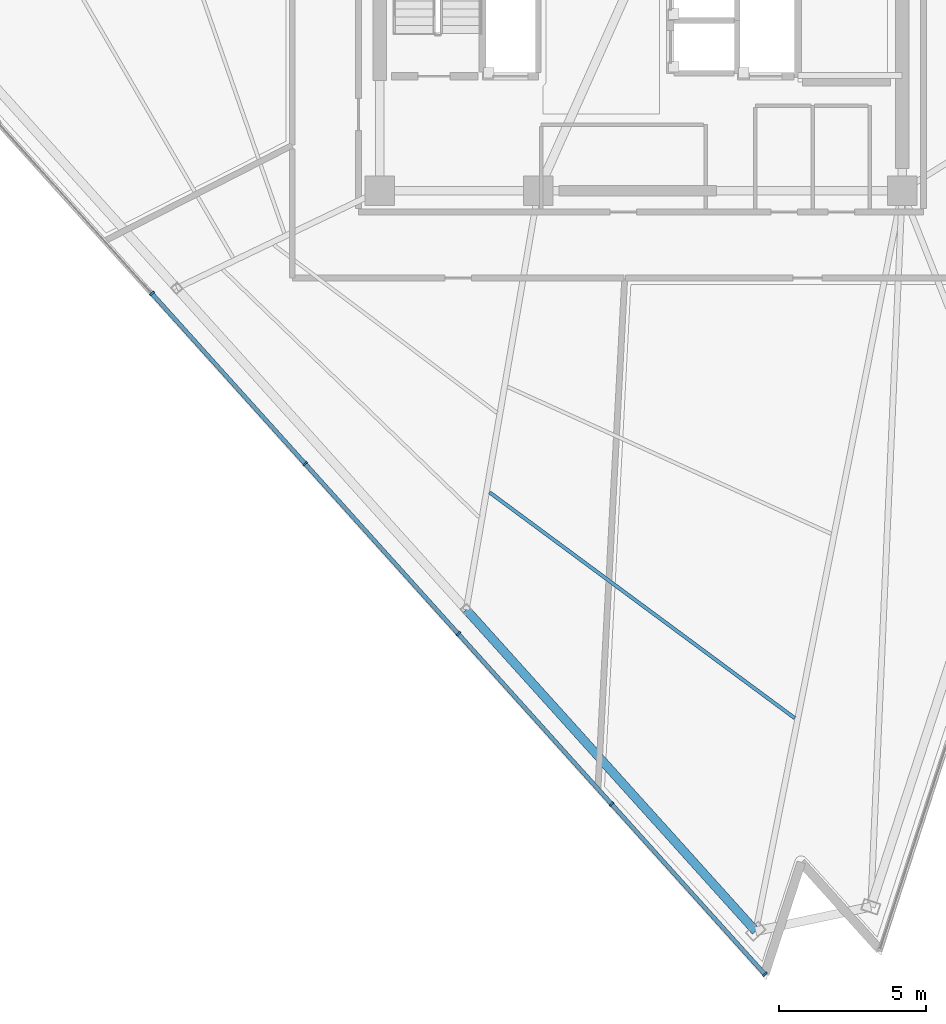
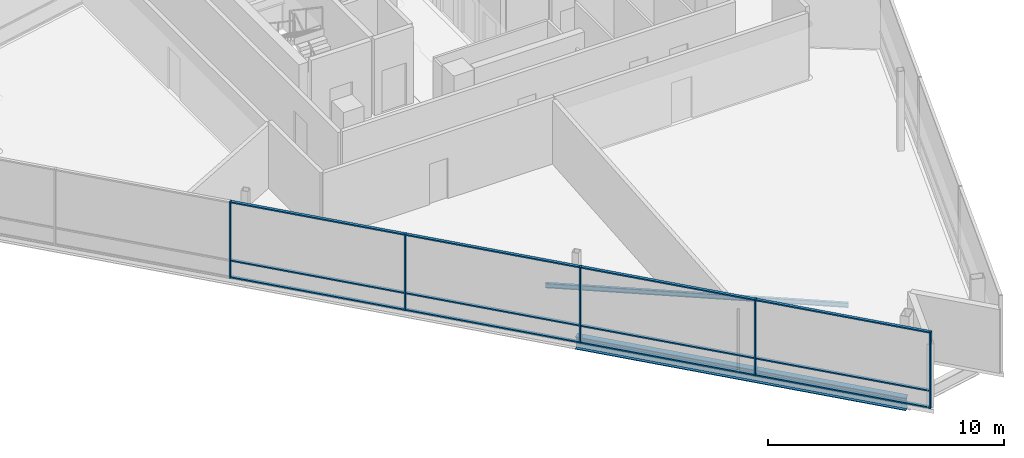
# One storey, part 3 of 17: 17 members, 2 beams, 1 element without a shape of its own.
"""IFC4 building model written with IfcOpenShell, lengths in metres."""

from ifc_helpers import new_model, si_unit, direction, frame, origin, origin_2d, place, context, subcontext, project, spatial, rectangle, i_section, extrude, material, layer, layer_set, material_profile, profile_set, type_object, element, aggregate, save


model = new_model("IFC4")

# Units and contexts
model_context = context("Model", 3, precision=1e-05, world=origin(), true_north=direction((0.0, 1.0)))
body_context = subcontext(model_context, "Body", "Model", "MODEL_VIEW")
ifc_project = project(units=[si_unit("LENGTHUNIT", "METRE"), si_unit("AREAUNIT", "SQUARE_METRE"), si_unit("VOLUMEUNIT", "CUBIC_METRE"), si_unit("PLANEANGLEUNIT", "RADIAN"), si_unit("MASSUNIT", "GRAM", prefix="KILO")], contexts=[model_context])

# Site, building, storey
site_placement = place(None, origin())
site = spatial("IfcSite", under=ifc_project, at=site_placement, CompositionType="ELEMENT")
building_placement = place(site_placement, origin())
building = spatial("IfcBuilding", under=site, at=building_placement, Name="Tharavind Bronze Gate", CompositionType="ELEMENT")
storey_placement = place(building_placement, frame((0.0, 0.0, 298.0)))
storey = spatial("IfcBuildingStorey", under=building, at=storey_placement, Name="L77", CompositionType="ELEMENT", Elevation=298.0)

# Curtain wall, members
ifc_material_1 = material(Name="Anodised Bronze Aluminium", Category="aluminium")
ifc_layer = layer(ifc_material_1, 0.219970703125)
ifc_layer_set = layer_set([ifc_layer], Name="Anodised Bronze Aluminium")
curtain_wall_type = type_object("IfcCurtainWallType", Name="UNITISED CURTAIN WALL CROWN", PredefinedType="USERDEFINED", material=ifc_layer_set)
curtain_wall_placement = place(storey_placement, origin())
curtain_wall = element("IfcCurtainWall", 1, at=curtain_wall_placement, inside=storey, type_object=curtain_wall_type, Name="L77 unitised curtain wall crown CW-L77-S1", ObjectType="UNITISED CURTAIN WALL", PredefinedType="USERDEFINED")
member_type_1 = type_object("IfcMemberType", Name="CURTAIN WALL BRONZE MULLION 65X180", PredefinedType="MULLION", material=ifc_material_1)
member_1_placement = place(storey_placement, frame((-16.663330078125, -11.101806640625, 0.0), z_axis=(0.0, 0.0, 1.0), x_axis=(0.669130606359, -0.743144825477, 0.0)))
member_1 = element("IfcMember", 2, at=member_1_placement, type_object=member_type_1, Name="CW-L77-S1 mullion 3", PredefinedType="MULLION", context=body_context, shape_type="SweptSolid", body=[
    extrude(rectangle(XDim=0.06494140625, YDim=0.179931640625, at=origin_2d()), origin(), (0.0, 0.0, 1.0), 3.949951171875),
])
member_2_placement = place(storey_placement, frame((-11.442138671875, -16.900390625, 0.0), z_axis=(0.0, 0.0, 1.0), x_axis=(0.669130606359, -0.743144825477, 0.0)))
member_2 = element("IfcMember", 3, at=member_2_placement, type_object=member_type_1, Name="CW-L77-S1 mullion 4", PredefinedType="MULLION", context=body_context, shape_type="SweptSolid", body=[
    extrude(rectangle(XDim=0.06494140625, YDim=0.179931640625, at=origin_2d()), origin(), (0.0, 0.0, 1.0), 3.949951171875),
])
member_3_placement = place(storey_placement, frame((-6.22119140625, -22.698974609375, 0.0), z_axis=(0.0, 0.0, 1.0), x_axis=(0.669130606359, -0.743144825477, 0.0)))
member_3 = element("IfcMember", 4, at=member_3_placement, type_object=member_type_1, Name="CW-L77-S1 mullion 5", PredefinedType="MULLION", context=body_context, shape_type="SweptSolid", body=[
    extrude(rectangle(XDim=0.06494140625, YDim=0.179931640625, at=origin_2d()), origin(), (0.0, 0.0, 1.0), 3.949951171875),
])
member_4_placement = place(storey_placement, frame((-1.000244140625, -28.49755859375, 0.0), z_axis=(0.0, 0.0, 1.0), x_axis=(0.669130606359, -0.743144825477, 0.0)))
member_4 = element("IfcMember", 5, at=member_4_placement, type_object=member_type_1, Name="CW-L77-S1 mullion 6", PredefinedType="MULLION", context=body_context, shape_type="SweptSolid", body=[
    extrude(rectangle(XDim=0.06494140625, YDim=0.179931640625, at=origin_2d()), origin(), (0.0, 0.0, 1.0), 3.949951171875),
])
member_5_placement = place(storey_placement, frame((4.220703125, -34.2958984375, 0.0), z_axis=(0.0, 0.0, 1.0), x_axis=(0.669130606359, -0.743144825477, 0.0)))
member_5 = element("IfcMember", 6, at=member_5_placement, type_object=member_type_1, Name="CW-L77-S1 mullion 7", PredefinedType="MULLION", context=body_context, shape_type="SweptSolid", body=[
    extrude(rectangle(XDim=0.06494140625, YDim=0.179931640625, at=origin_2d()), origin(), (0.0, 0.0, 1.0), 3.949951171875),
])
member_type_2 = type_object("IfcMemberType", Name="CURTAIN WALL BRONZE TRANSOM 65X140", PredefinedType="USERDEFINED", material=ifc_material_1)
member_6_placement = place(storey_placement, frame((-14.052734375, -14.001220703125, 0.0), z_axis=(0.0, 0.0, 1.0), x_axis=(0.669130606359, -0.743144825477, 0.0)))
member_6 = element("IfcMember", 7, at=member_6_placement, type_object=member_type_2, Name="CW-L77-S1 transom TB3", ObjectType="TRANSOM", PredefinedType="USERDEFINED", context=body_context, shape_type="SweptSolid", body=[
    extrude(rectangle(XDim=7.749755859375, YDim=0.139892578125, at=origin_2d()), origin(), (0.0, 0.0, 1.0), 0.06494140625),
])
member_7_placement = place(storey_placement, frame((-14.052734375, -14.001220703125, 0.867431640625), z_axis=(0.0, 0.0, 1.0), x_axis=(0.669130606359, -0.743144825477, 0.0)))
member_7 = element("IfcMember", 8, at=member_7_placement, type_object=member_type_2, Name="CW-L77-S1 transom TS3", ObjectType="TRANSOM", PredefinedType="USERDEFINED", context=body_context, shape_type="SweptSolid", body=[
    extrude(rectangle(XDim=7.749755859375, YDim=0.139892578125, at=origin_2d()), origin(), (0.0, 0.0, 1.0), 0.06494140625),
])
member_8_placement = place(storey_placement, frame((-14.052734375, -14.001220703125, 3.885009765625), z_axis=(0.0, 0.0, 1.0), x_axis=(0.669130606359, -0.743144825477, 0.0)))
member_8 = element("IfcMember", 9, at=member_8_placement, type_object=member_type_2, Name="CW-L77-S1 transom TT3", ObjectType="TRANSOM", PredefinedType="USERDEFINED", context=body_context, shape_type="SweptSolid", body=[
    extrude(rectangle(XDim=7.749755859375, YDim=0.139892578125, at=origin_2d()), origin(), (0.0, 0.0, 1.0), 0.06494140625),
])
member_9_placement = place(storey_placement, frame((-8.831787109375, -19.7998046875, 0.0), z_axis=(0.0, 0.0, 1.0), x_axis=(0.669130606359, -0.743144825477, 0.0)))
member_9 = element("IfcMember", 10, at=member_9_placement, type_object=member_type_2, Name="CW-L77-S1 transom TB4", ObjectType="TRANSOM", PredefinedType="USERDEFINED", context=body_context, shape_type="SweptSolid", body=[
    extrude(rectangle(XDim=7.749755859375, YDim=0.139892578125, at=origin_2d()), origin(), (0.0, 0.0, 1.0), 0.06494140625),
])
member_10_placement = place(storey_placement, frame((-8.831787109375, -19.7998046875, 0.867431640625), z_axis=(0.0, 0.0, 1.0), x_axis=(0.669130606359, -0.743144825477, 0.0)))
member_10 = element("IfcMember", 11, at=member_10_placement, type_object=member_type_2, Name="CW-L77-S1 transom TS4", ObjectType="TRANSOM", PredefinedType="USERDEFINED", context=body_context, shape_type="SweptSolid", body=[
    extrude(rectangle(XDim=7.749755859375, YDim=0.139892578125, at=origin_2d()), origin(), (0.0, 0.0, 1.0), 0.06494140625),
])
member_11_placement = place(storey_placement, frame((-8.831787109375, -19.7998046875, 3.885009765625), z_axis=(0.0, 0.0, 1.0), x_axis=(0.669130606359, -0.743144825477, 0.0)))
member_11 = element("IfcMember", 12, at=member_11_placement, type_object=member_type_2, Name="CW-L77-S1 transom TT4", ObjectType="TRANSOM", PredefinedType="USERDEFINED", context=body_context, shape_type="SweptSolid", body=[
    extrude(rectangle(XDim=7.749755859375, YDim=0.139892578125, at=origin_2d()), origin(), (0.0, 0.0, 1.0), 0.06494140625),
])
member_12_placement = place(storey_placement, frame((-3.610595703125, -25.59814453125, 0.0), z_axis=(0.0, 0.0, 1.0), x_axis=(0.669130606359, -0.743144825477, 0.0)))
member_12 = element("IfcMember", 13, at=member_12_placement, type_object=member_type_2, Name="CW-L77-S1 transom TB5", ObjectType="TRANSOM", PredefinedType="USERDEFINED", context=body_context, shape_type="SweptSolid", body=[
    extrude(rectangle(XDim=7.749755859375, YDim=0.139892578125, at=origin_2d()), origin(), (0.0, 0.0, 1.0), 0.06494140625),
])
member_13_placement = place(storey_placement, frame((-3.610595703125, -25.59814453125, 0.867431640625), z_axis=(0.0, 0.0, 1.0), x_axis=(0.669130606359, -0.743144825477, 0.0)))
member_13 = element("IfcMember", 14, at=member_13_placement, type_object=member_type_2, Name="CW-L77-S1 transom TS5", ObjectType="TRANSOM", PredefinedType="USERDEFINED", context=body_context, shape_type="SweptSolid", body=[
    extrude(rectangle(XDim=7.749755859375, YDim=0.139892578125, at=origin_2d()), origin(), (0.0, 0.0, 1.0), 0.06494140625),
])
member_14_placement = place(storey_placement, frame((-3.610595703125, -25.59814453125, 3.885009765625), z_axis=(0.0, 0.0, 1.0), x_axis=(0.669130606359, -0.743144825477, 0.0)))
member_14 = element("IfcMember", 15, at=member_14_placement, type_object=member_type_2, Name="CW-L77-S1 transom TT5", ObjectType="TRANSOM", PredefinedType="USERDEFINED", context=body_context, shape_type="SweptSolid", body=[
    extrude(rectangle(XDim=7.749755859375, YDim=0.139892578125, at=origin_2d()), origin(), (0.0, 0.0, 1.0), 0.06494140625),
])
member_15_placement = place(storey_placement, frame((1.6103515625, -31.396728515625, 0.0), z_axis=(0.0, 0.0, 1.0), x_axis=(0.669130606359, -0.743144825477, 0.0)))
member_15 = element("IfcMember", 16, at=member_15_placement, type_object=member_type_2, Name="CW-L77-S1 transom TB6", ObjectType="TRANSOM", PredefinedType="USERDEFINED", context=body_context, shape_type="SweptSolid", body=[
    extrude(rectangle(XDim=7.749755859375, YDim=0.139892578125, at=origin_2d()), origin(), (0.0, 0.0, 1.0), 0.06494140625),
])
member_16_placement = place(storey_placement, frame((1.6103515625, -31.396728515625, 0.867431640625), z_axis=(0.0, 0.0, 1.0), x_axis=(0.669130606359, -0.743144825477, 0.0)))
member_16 = element("IfcMember", 17, at=member_16_placement, type_object=member_type_2, Name="CW-L77-S1 transom TS6", ObjectType="TRANSOM", PredefinedType="USERDEFINED", context=body_context, shape_type="SweptSolid", body=[
    extrude(rectangle(XDim=7.749755859375, YDim=0.139892578125, at=origin_2d()), origin(), (0.0, 0.0, 1.0), 0.06494140625),
])
member_17_placement = place(storey_placement, frame((1.6103515625, -31.396728515625, 3.885009765625), z_axis=(0.0, 0.0, 1.0), x_axis=(0.669130606359, -0.743144825477, 0.0)))
member_17 = element("IfcMember", 18, at=member_17_placement, type_object=member_type_2, Name="CW-L77-S1 transom TT6", ObjectType="TRANSOM", PredefinedType="USERDEFINED", context=body_context, shape_type="SweptSolid", body=[
    extrude(rectangle(XDim=7.749755859375, YDim=0.139892578125, at=origin_2d()), origin(), (0.0, 0.0, 1.0), 0.06494140625),
])
aggregate(curtain_wall, [member_1, member_2, member_3, member_4, member_5, member_6, member_7, member_8, member_9, member_10, member_11, member_12, member_13, member_14, member_15, member_16, member_17])

# Beams
ifc_material_2 = material(Name="Steel S355", Category="steel")
ifc_material_profile_1 = material_profile(ifc_material_2, i_section(OverallWidth=0.300048828125, OverallDepth=0.64990234375, WebThickness=0.01611328125, FlangeThickness=0.031005859375, at=origin_2d()), Name="HE650B")
ifc_profile_set_1 = profile_set([ifc_material_profile_1], Name="Steel S355")
beam_type_1 = type_object("IfcBeamType", Name="PRIMARY GIRDER HE650B", PredefinedType="USERDEFINED", material=ifc_profile_set_1)
beam_1_placement = place(storey_placement, frame((-5.95361328125, -21.875244140625, -0.52490234375), z_axis=(0.669134014343, -0.7431417569, 0.0), x_axis=(0.7431417569, 0.669134014343, 0.0)))
element("IfcBeam", 19, at=beam_1_placement, inside=storey, type_object=beam_type_1, Name="L77 primary girder he650b BM-L77-PRG03", ObjectType="GIRDER", PredefinedType="USERDEFINED", context=body_context, shape_type="SweptSolid", body=[
    extrude(i_section(OverallWidth=0.300048828125, OverallDepth=0.64990234375, WebThickness=0.01611328125, FlangeThickness=0.031005859375, at=origin_2d()), origin(), (0.0, 0.0, 1.0), 14.7392578125),
])
ifc_material_profile_2 = material_profile(ifc_material_2, i_section(OverallWidth=0.1201171875, OverallDepth=0.239990234375, WebThickness=0.006103515625, FlangeThickness=0.009765625, at=origin_2d()), Name="IPE240")
ifc_profile_set_2 = profile_set([ifc_material_profile_2], Name="Steel S355")
beam_type_2 = type_object("IfcBeamType", Name="SECONDARY FLOOR JOIST IPE240", PredefinedType="JOIST", material=ifc_profile_set_2)
beam_2_placement = place(storey_placement, frame((-5.1611328125, -17.875732421875, -0.320068359375), z_axis=(0.803905058173, -0.594757645973, 0.0), x_axis=(0.594757645973, 0.803905058173, 0.0)))
element("IfcBeam", 20, at=beam_2_placement, inside=storey, type_object=beam_type_2, Name="L77 secondary floor joist ipe240 BM-L77-JSTB03", PredefinedType="JOIST", context=body_context, shape_type="SweptSolid", body=[
    extrude(i_section(OverallWidth=0.1201171875, OverallDepth=0.239990234375, WebThickness=0.006103515625, FlangeThickness=0.009765625, at=origin_2d()), origin(), (0.0, 0.0, 1.0), 12.937255859375),
])

save(model, "model.ifc")
